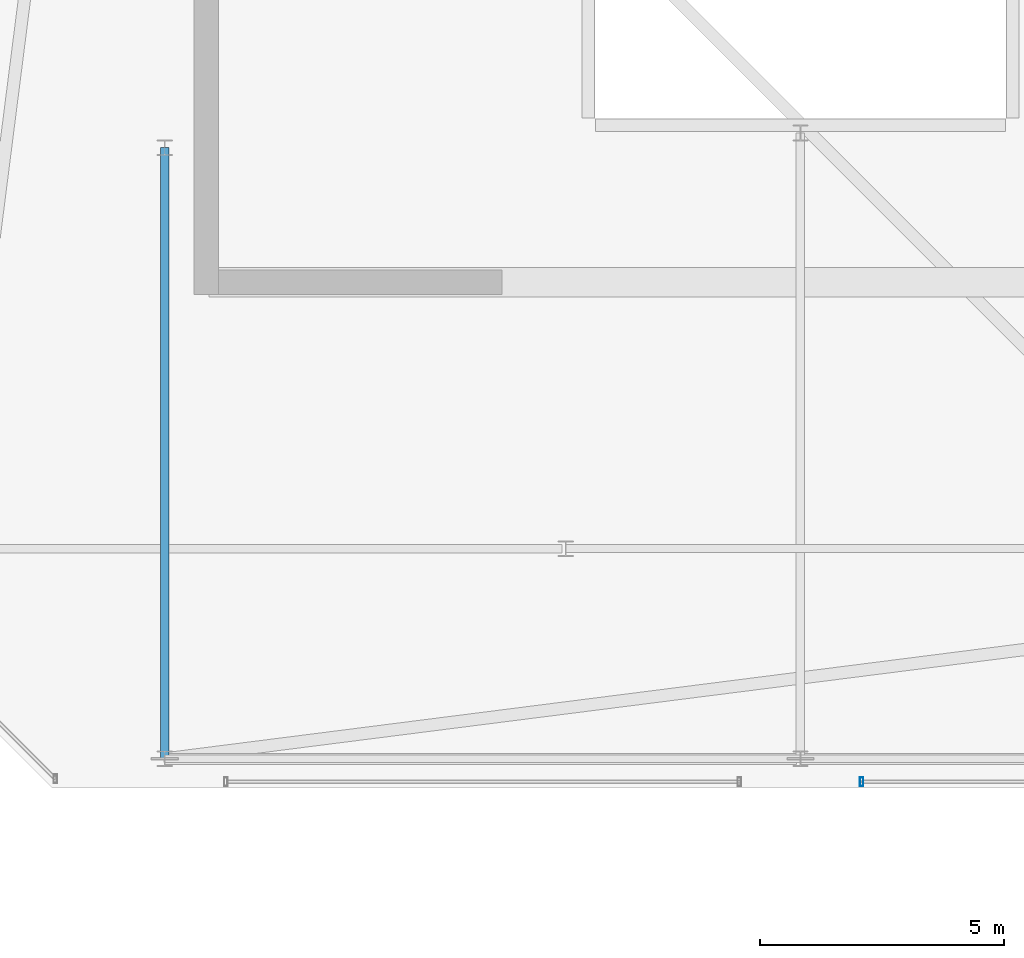
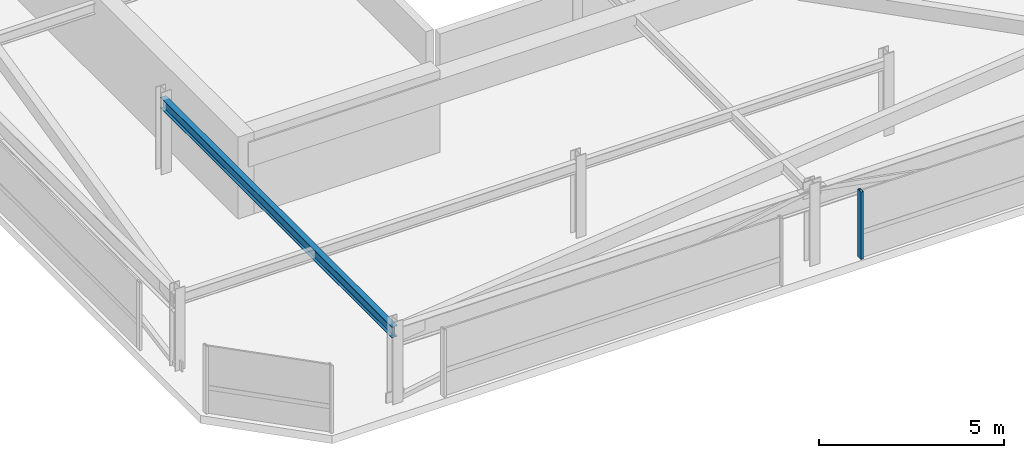
# One storey, part 30 of 44: 1 beam, 1 member, 1 element without a shape of its own.
"""IFC4 building model written with IfcOpenShell, lengths in metres."""

from ifc_helpers import new_model, si_unit, direction, frame, origin, origin_2d, place, context, subcontext, project, spatial, hollow_rectangle, i_section, extrude, material, material_profile, profile_set, type_object, element, aggregate, save


model = new_model("IFC4")

# Units and contexts
model_context = context("Model", 3, precision=1e-05, world=origin(), true_north=direction((0.0, 1.0)))
body_context = subcontext(model_context, "Body", "Model", "MODEL_VIEW")
ifc_project = project(units=[si_unit("LENGTHUNIT", "METRE"), si_unit("AREAUNIT", "SQUARE_METRE"), si_unit("VOLUMEUNIT", "CUBIC_METRE"), si_unit("PLANEANGLEUNIT", "RADIAN"), si_unit("MASSUNIT", "GRAM", prefix="KILO")], contexts=[model_context])

# Site, building, storey
site_placement = place(None, origin())
site = spatial("IfcSite", under=ifc_project, at=site_placement, CompositionType="ELEMENT")
building_placement = place(site_placement, origin())
building = spatial("IfcBuilding", under=site, at=building_placement, Name="Thornwick Lancets Civic Towers", CompositionType="ELEMENT")
storey_placement = place(building_placement, frame((0.0, 0.0, 294.89990234375)))
storey = spatial("IfcBuildingStorey", under=building, at=storey_placement, Name="C06", CompositionType="ELEMENT", Elevation=294.89990234375)

# Beam
ifc_material_1 = material(Name="Steel S355JR", Category="steel")
ifc_material_profile_1 = material_profile(ifc_material_1, i_section(OverallWidth=0.173095703125, OverallDepth=0.36328125, WebThickness=0.009033203125, FlangeThickness=0.015625, FilletRadius=0.01025390625, at=origin_2d()), Name="UKB 356x171x67")
ifc_profile_set_1 = profile_set([ifc_material_profile_1], Name="Steel S355JR")
beam_type = type_object("IfcBeamType", Name="BM_JOIST_356_67", PredefinedType="JOIST", material=ifc_profile_set_1)
beam_placement = place(storey_placement, frame((75.5, 22.199951171875, 2.25830078125), z_axis=(0.0, -1.0, 0.0), x_axis=(1.0, 0.0, 0.0)))
element("IfcBeam", 1, at=beam_placement, inside=storey, type_object=beam_type, Name="BM-RADIN-C06-B12", PredefinedType="JOIST", context=body_context, shape_type="SweptSolid", body=[
    extrude(i_section(OverallWidth=0.173095703125, OverallDepth=0.36328125, WebThickness=0.009033203125, FlangeThickness=0.015625, FilletRadius=0.01025390625, at=origin_2d()), origin(), (0.0, 0.0, 1.0), 12.5),
])

# Curtain wall, member
ifc_material_2 = material(Name="Crown ring acoustic-louvre and glazing screen wall", Category="glass")
curtain_wall_type = type_object("IfcCurtainWallType", Name="CW_SYS_07", PredefinedType="NOTDEFINED", material=ifc_material_2)
curtain_wall_placement = place(storey_placement, origin())
curtain_wall = element("IfcCurtainWall", 2, at=curtain_wall_placement, inside=storey, type_object=curtain_wall_type, Name="C06 Curtain Wall CW-C06-B-E0-S2", PredefinedType="NOTDEFINED")
ifc_material_3 = material(Name="Thermally broken bronze aluminium S355", Category="steel")
ifc_material_profile_2 = material_profile(ifc_material_3, hollow_rectangle(XDim=0.074951171875, YDim=0.179931640625, WallThickness=0.006103515625, at=origin_2d()), Name="RHS 180x75x6")
ifc_profile_set_2 = profile_set([ifc_material_profile_2], Name="Thermally broken bronze aluminium S355")
member_type = type_object("IfcMemberType", Name="CW_MUL_180", PredefinedType="MULLION", material=ifc_profile_set_2)
member_placement = place(storey_placement, frame((89.75, 9.2353515625, 0.0), z_axis=(0.0, 0.0, 1.0), x_axis=(1.0, 0.0, 0.0)))
member = element("IfcMember", 3, at=member_placement, type_object=member_type, Name="CW-C06-B-E0-S2 Mullion 0", PredefinedType="MULLION", context=body_context, shape_type="SweptSolid", body=[
    extrude(hollow_rectangle(XDim=0.074951171875, YDim=0.179931640625, WallThickness=0.006103515625, at=origin_2d()), origin(), (0.0, 0.0, 1.0), 2.22021484375),
])
aggregate(curtain_wall, [member])

save(model, "model.ifc")
